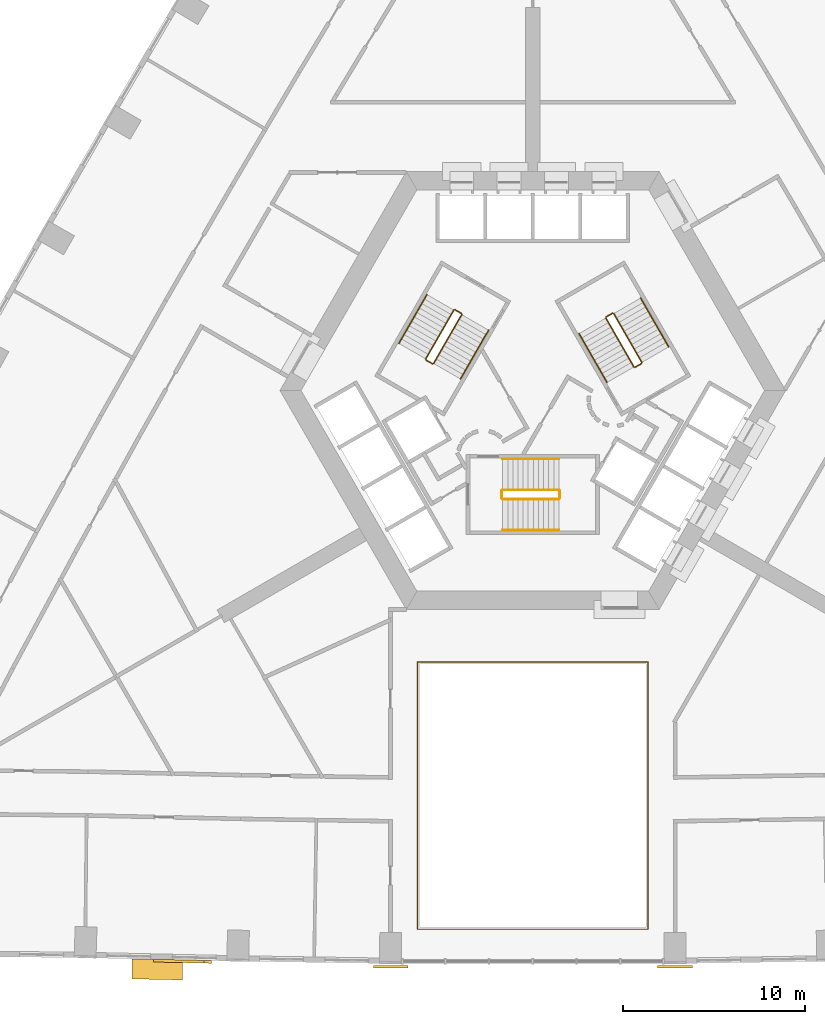
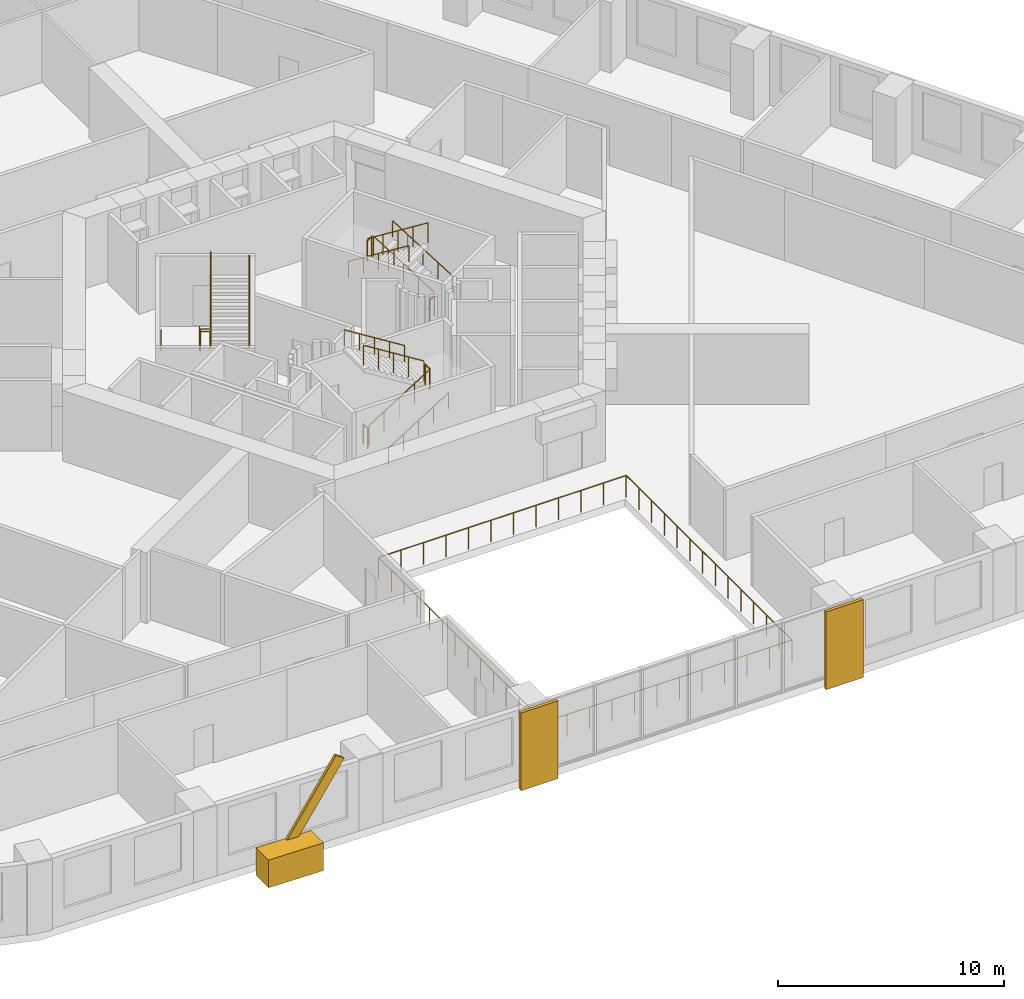
# One storey, part 13 of 13: 19 railings, 3 coverings, 1 shading device.
"""IFC4 building model written with IfcOpenShell, lengths in metres."""

from ifc_helpers import new_model, si_unit, direction, frame, origin, origin_2d, place, context, subcontext, project, spatial, polyline, rectangle, circle, outline, extrude, material, material_profile, profile_set, type_object, element, save


model = new_model("IFC4")

# Units and contexts
model_context = context("Model", 3, precision=1e-05, world=origin(), true_north=direction((0.0, 1.0)))
body_context = subcontext(model_context, "Body", "Model", "MODEL_VIEW")
ifc_project = project(units=[si_unit("LENGTHUNIT", "METRE"), si_unit("AREAUNIT", "SQUARE_METRE"), si_unit("VOLUMEUNIT", "CUBIC_METRE"), si_unit("PLANEANGLEUNIT", "RADIAN"), si_unit("MASSUNIT", "GRAM", prefix="KILO")], contexts=[model_context])

# Site, building, storey
site_placement = place(None, origin())
site = spatial("IfcSite", under=ifc_project, at=site_placement, CompositionType="ELEMENT")
building_placement = place(site_placement, origin())
building = spatial("IfcBuilding", under=site, at=building_placement, Name="Entoto Arch Interchange Tower", CompositionType="ELEMENT")
storey_placement = place(building_placement, frame((0.0, 0.0, 51.800048828125)))
storey = spatial("IfcBuildingStorey", under=building, at=storey_placement, Name="L10", CompositionType="ELEMENT", Elevation=51.800048828125)

# Railing
ifc_material_1 = material(Name="Stainless steel 1.4301", Category="steel")
railing_type_1 = type_object("IfcRailingType", Name="ATRIUM GUARD 1200 STEEL AND GLASS", PredefinedType="GUARDRAIL", material=ifc_material_1)
railing_1_placement = place(storey_placement, frame((6.320068359375, -27.030029296875, 0.0)))
element("IfcRailing", 1, at=railing_1_placement, inside=storey, type_object=railing_type_1, Name="Atrium guard L10", PredefinedType="GUARDRAIL", context=body_context, shape_type="SweptSolid", body=[
    extrude(circle(Radius=0.02392578125, at=origin_2d()), frame((0.0, 0.0, 1.17578125), z_axis=(-1.0, 0.0, 0.0), x_axis=(0.0, -1.0, 0.0)), (0.0, 0.0, 1.0), 12.64013671875),
    extrude(circle(Radius=0.02392578125, at=origin_2d()), frame((-12.64013671875, 0.0, 1.17578125), z_axis=(0.0, 1.0, 0.0), x_axis=(-1.0, 0.0, 0.0)), (0.0, 0.0, 1.0), 14.650146484375),
    extrude(circle(Radius=0.02392578125, at=origin_2d()), frame((-12.64013671875, 14.650146484375, 1.17578125), z_axis=(1.0, 0.0, 0.0), x_axis=(0.0, 1.0, 0.0)), (0.0, 0.0, 1.0), 12.64013671875),
    extrude(circle(Radius=0.02392578125, at=origin_2d()), frame((0.0, 14.650146484375, 1.17578125), z_axis=(0.0, -1.0, 0.0), x_axis=(1.0, 0.0, 0.0)), (0.0, 0.0, 1.0), 14.650146484375),
    extrude(circle(Radius=0.02099609375, at=origin_2d()), origin(), (0.0, 0.0, 1.0), 1.15185546875),
    extrude(circle(Radius=0.02099609375, at=origin_2d()), frame((-1.149169921875, 0.0, 0.0)), (0.0, 0.0, 1.0), 1.15185546875),
    extrude(circle(Radius=0.02099609375, at=origin_2d()), frame((-2.298095703125, 0.0, 0.0)), (0.0, 0.0, 1.0), 1.15185546875),
    extrude(circle(Radius=0.02099609375, at=origin_2d()), frame((-3.447265625, 0.0, 0.0)), (0.0, 0.0, 1.0), 1.15185546875),
    extrude(circle(Radius=0.02099609375, at=origin_2d()), frame((-4.596435546875, 0.0, 0.0)), (0.0, 0.0, 1.0), 1.15185546875),
    extrude(circle(Radius=0.02099609375, at=origin_2d()), frame((-5.74560546875, 0.0, 0.0)), (0.0, 0.0, 1.0), 1.15185546875),
    extrude(circle(Radius=0.02099609375, at=origin_2d()), frame((-6.89453125, 0.0, 0.0)), (0.0, 0.0, 1.0), 1.15185546875),
    extrude(circle(Radius=0.02099609375, at=origin_2d()), frame((-8.043701171875, 0.0, 0.0)), (0.0, 0.0, 1.0), 1.15185546875),
    extrude(circle(Radius=0.02099609375, at=origin_2d()), frame((-9.19287109375, 0.0, 0.0)), (0.0, 0.0, 1.0), 1.15185546875),
    extrude(circle(Radius=0.02099609375, at=origin_2d()), frame((-10.342041015625, 0.0, 0.0)), (0.0, 0.0, 1.0), 1.15185546875),
    extrude(circle(Radius=0.02099609375, at=origin_2d()), frame((-11.490966796875, 0.0, 0.0)), (0.0, 0.0, 1.0), 1.15185546875),
    extrude(circle(Radius=0.02099609375, at=origin_2d()), frame((-12.64013671875, 0.0, 0.0)), (0.0, 0.0, 1.0), 1.15185546875),
    extrude(circle(Radius=0.02099609375, at=origin_2d()), frame((-12.64013671875, 1.126953125, 0.0)), (0.0, 0.0, 1.0), 1.15185546875),
    extrude(circle(Radius=0.02099609375, at=origin_2d()), frame((-12.64013671875, 2.25390625, 0.0)), (0.0, 0.0, 1.0), 1.15185546875),
    extrude(circle(Radius=0.02099609375, at=origin_2d()), frame((-12.64013671875, 3.380859375, 0.0)), (0.0, 0.0, 1.0), 1.15185546875),
    extrude(circle(Radius=0.02099609375, at=origin_2d()), frame((-12.64013671875, 4.5078125, 0.0)), (0.0, 0.0, 1.0), 1.15185546875),
    extrude(circle(Radius=0.02099609375, at=origin_2d()), frame((-12.64013671875, 5.634765625, 0.0)), (0.0, 0.0, 1.0), 1.15185546875),
    extrude(circle(Radius=0.02099609375, at=origin_2d()), frame((-12.64013671875, 6.76171875, 0.0)), (0.0, 0.0, 1.0), 1.15185546875),
    extrude(circle(Radius=0.02099609375, at=origin_2d()), frame((-12.64013671875, 7.888427734375, 0.0)), (0.0, 0.0, 1.0), 1.15185546875),
    extrude(circle(Radius=0.02099609375, at=origin_2d()), frame((-12.64013671875, 9.015380859375, 0.0)), (0.0, 0.0, 1.0), 1.15185546875),
    extrude(circle(Radius=0.02099609375, at=origin_2d()), frame((-12.64013671875, 10.142333984375, 0.0)), (0.0, 0.0, 1.0), 1.15185546875),
    extrude(circle(Radius=0.02099609375, at=origin_2d()), frame((-12.64013671875, 11.269287109375, 0.0)), (0.0, 0.0, 1.0), 1.15185546875),
    extrude(circle(Radius=0.02099609375, at=origin_2d()), frame((-12.64013671875, 12.396240234375, 0.0)), (0.0, 0.0, 1.0), 1.15185546875),
    extrude(circle(Radius=0.02099609375, at=origin_2d()), frame((-12.64013671875, 13.523193359375, 0.0)), (0.0, 0.0, 1.0), 1.15185546875),
    extrude(circle(Radius=0.02099609375, at=origin_2d()), frame((-12.64013671875, 14.650146484375, 0.0)), (0.0, 0.0, 1.0), 1.15185546875),
    extrude(circle(Radius=0.02099609375, at=origin_2d()), frame((-11.490966796875, 14.650146484375, 0.0)), (0.0, 0.0, 1.0), 1.15185546875),
    extrude(circle(Radius=0.02099609375, at=origin_2d()), frame((-10.342041015625, 14.650146484375, 0.0)), (0.0, 0.0, 1.0), 1.15185546875),
    extrude(circle(Radius=0.02099609375, at=origin_2d()), frame((-9.19287109375, 14.650146484375, 0.0)), (0.0, 0.0, 1.0), 1.15185546875),
    extrude(circle(Radius=0.02099609375, at=origin_2d()), frame((-8.043701171875, 14.650146484375, 0.0)), (0.0, 0.0, 1.0), 1.15185546875),
    extrude(circle(Radius=0.02099609375, at=origin_2d()), frame((-6.89453125, 14.650146484375, 0.0)), (0.0, 0.0, 1.0), 1.15185546875),
    extrude(circle(Radius=0.02099609375, at=origin_2d()), frame((-5.74560546875, 14.650146484375, 0.0)), (0.0, 0.0, 1.0), 1.15185546875),
    extrude(circle(Radius=0.02099609375, at=origin_2d()), frame((-4.596435546875, 14.650146484375, 0.0)), (0.0, 0.0, 1.0), 1.15185546875),
    extrude(circle(Radius=0.02099609375, at=origin_2d()), frame((-3.447265625, 14.650146484375, 0.0)), (0.0, 0.0, 1.0), 1.15185546875),
    extrude(circle(Radius=0.02099609375, at=origin_2d()), frame((-2.298095703125, 14.650146484375, 0.0)), (0.0, 0.0, 1.0), 1.15185546875),
    extrude(circle(Radius=0.02099609375, at=origin_2d()), frame((-1.149169921875, 14.650146484375, 0.0)), (0.0, 0.0, 1.0), 1.15185546875),
    extrude(circle(Radius=0.02099609375, at=origin_2d()), frame((0.0, 14.650146484375, 0.0)), (0.0, 0.0, 1.0), 1.15185546875),
    extrude(circle(Radius=0.02099609375, at=origin_2d()), frame((0.0, 13.523193359375, 0.0)), (0.0, 0.0, 1.0), 1.15185546875),
    extrude(circle(Radius=0.02099609375, at=origin_2d()), frame((0.0, 12.396240234375, 0.0)), (0.0, 0.0, 1.0), 1.15185546875),
    extrude(circle(Radius=0.02099609375, at=origin_2d()), frame((0.0, 11.269287109375, 0.0)), (0.0, 0.0, 1.0), 1.15185546875),
    extrude(circle(Radius=0.02099609375, at=origin_2d()), frame((0.0, 10.142333984375, 0.0)), (0.0, 0.0, 1.0), 1.15185546875),
    extrude(circle(Radius=0.02099609375, at=origin_2d()), frame((0.0, 9.015380859375, 0.0)), (0.0, 0.0, 1.0), 1.15185546875),
    extrude(circle(Radius=0.02099609375, at=origin_2d()), frame((0.0, 7.888427734375, 0.0)), (0.0, 0.0, 1.0), 1.15185546875),
    extrude(circle(Radius=0.02099609375, at=origin_2d()), frame((0.0, 6.76171875, 0.0)), (0.0, 0.0, 1.0), 1.15185546875),
    extrude(circle(Radius=0.02099609375, at=origin_2d()), frame((0.0, 5.634765625, 0.0)), (0.0, 0.0, 1.0), 1.15185546875),
    extrude(circle(Radius=0.02099609375, at=origin_2d()), frame((0.0, 4.5078125, 0.0)), (0.0, 0.0, 1.0), 1.15185546875),
    extrude(circle(Radius=0.02099609375, at=origin_2d()), frame((0.0, 3.380859375, 0.0)), (0.0, 0.0, 1.0), 1.15185546875),
    extrude(circle(Radius=0.02099609375, at=origin_2d()), frame((0.0, 2.25390625, 0.0)), (0.0, 0.0, 1.0), 1.15185546875),
    extrude(circle(Radius=0.02099609375, at=origin_2d()), frame((0.0, 1.126953125, 0.0)), (0.0, 0.0, 1.0), 1.15185546875),
])

# Shading device
ifc_material_2 = material(Name="Board-marked precast concrete C50/60", Category="concrete")
ifc_material_profile = material_profile(ifc_material_2, rectangle(XDim=0.14990234375, YDim=0.5, at=origin_2d()))
ifc_profile_set = profile_set([ifc_material_profile], Name="Board-marked precast concrete C50/60")
shading_device_type = type_object("IfcShadingDeviceType", Name="FOLD BAND PRECAST 150x500", PredefinedType="USERDEFINED", material=ifc_profile_set)
shading_device_placement = place(storey_placement, frame((-20.5810546875, -28.7529296875, 0.25), z_axis=(0.550530625864, -0.01232458831, 0.834723987021), x_axis=(0.022381136594, 0.99974951099, 0.0)))
element("IfcShadingDevice", 2, at=shading_device_placement, inside=storey, type_object=shading_device_type, Name="Fold band L10", ObjectType="FOLD BAND", PredefinedType="USERDEFINED", context=body_context, shape_type="SweptSolid", body=[
    extrude(rectangle(XDim=0.14990234375, YDim=0.5, at=origin_2d()), origin(), (0.0, 0.0, 1.0), 5.031494140625),
])

# Coverings
covering_type = type_object("IfcCoveringType", Name="PRECAST FRAME COURSE", PredefinedType="CLADDING", material=ifc_material_2)
covering_1_placement = place(storey_placement, frame((0.0, 0.0, -0.400146484375)))
element("IfcCovering", 3, at=covering_1_placement, inside=storey, type_object=covering_type, Name="Gate pier L10", PredefinedType="CLADDING", context=body_context, shape_type="SweptSolid", body=[
    extrude(outline(polyline([(-8.742919921875, -29.0009765625), (-6.843017578125, -29.0009765625), (-6.843017578125, -29.159912109375), (-8.742919921875, -29.159912109375), (-8.742919921875, -29.0009765625)])), origin(), (0.0, 0.0, 1.0), 4.2001953125),
])
covering_2_placement = place(storey_placement, frame((0.0, 0.0, -0.400146484375)))
element("IfcCovering", 4, at=covering_2_placement, inside=storey, type_object=covering_type, Name="Gate pier L10", PredefinedType="CLADDING", context=body_context, shape_type="SweptSolid", body=[
    extrude(outline(polyline([(6.843017578125, -29.0009765625), (8.742919921875, -29.0009765625), (8.742919921875, -29.159912109375), (6.843017578125, -29.159912109375), (6.843017578125, -29.0009765625)])), origin(), (0.0, 0.0, 1.0), 4.2001953125),
])
covering_3_placement = place(storey_placement, frame((0.0, 0.0, -0.650146484375)))
element("IfcCovering", 5, at=covering_3_placement, inside=storey, type_object=covering_type, Name="Fold crease ribbon L10", PredefinedType="CLADDING", context=body_context, shape_type="SweptSolid", body=[
    extrude(outline(polyline([(-21.964111328125, -29.7470703125), (-21.964111328125, -28.64697265625), (-19.194091796875, -28.708984375), (-19.194091796875, -29.80908203125), (-21.964111328125, -29.7470703125)])), origin(), (0.0, 0.0, 1.0), 1.5),
])

# Railings
railing_type_2 = type_object("IfcRailingType", Name="STAIR GUARD 1100 STEEL", PredefinedType="GUARDRAIL", material=ifc_material_1)
railing_2_placement = place(storey_placement, frame((-1.64990234375, -3.449951171875, 0.175048828125)))
element("IfcRailing", 6, at=railing_2_placement, inside=storey, type_object=railing_type_2, Name="L10 ST-S stair guard 1", PredefinedType="GUARDRAIL", context=body_context, shape_type="SweptSolid", body=[
    extrude(circle(Radius=0.02392578125, at=origin_2d()), frame((0.0, 0.0, 1.076171875), z_axis=(0.848009633417, 0.0, 0.529980812513), x_axis=(0.0, 1.0, 0.0)), (0.0, 0.0, 1.0), 3.6318359375),
    extrude(circle(Radius=0.02099609375, at=origin_2d()), origin(), (0.0, 0.0, 1.0), 1.052001953125),
    extrude(circle(Radius=0.02099609375, at=origin_2d()), frame((0.77001953125, 0.0, 0.481201171875)), (0.0, 0.0, 1.0), 1.052001953125),
    extrude(circle(Radius=0.02099609375, at=origin_2d()), frame((1.5400390625, 0.0, 0.96240234375)), (0.0, 0.0, 1.0), 1.052001953125),
    extrude(circle(Radius=0.02099609375, at=origin_2d()), frame((2.309814453125, 0.0, 1.443603515625)), (0.0, 0.0, 1.0), 1.052001953125),
    extrude(circle(Radius=0.02099609375, at=origin_2d()), frame((3.079833984375, 0.0, 1.9248046875)), (0.0, 0.0, 1.0), 1.052001953125),
])
railing_3_placement = place(storey_placement, frame((1.47998046875, -3.39990234375, 2.099853515625)))
element("IfcRailing", 7, at=railing_3_placement, inside=storey, type_object=railing_type_2, Name="L10 ST-S stair guard 2", PredefinedType="GUARDRAIL", context=body_context, shape_type="SweptSolid", body=[
    extrude(circle(Radius=0.02392578125, at=origin_2d()), frame((0.0, 0.0, 1.076171875), z_axis=(0.0, 1.0, 0.0), x_axis=(-1.0, 0.0, 0.0)), (0.0, 0.0, 1.0), 0.39990234375),
    extrude(circle(Radius=0.02099609375, at=origin_2d()), origin(), (0.0, 0.0, 1.0), 1.052001953125),
    extrude(circle(Radius=0.02099609375, at=origin_2d()), frame((0.0, 0.39990234375, 0.0)), (0.0, 0.0, 1.0), 1.052001953125),
])
railing_4_placement = place(storey_placement, frame((1.429931640625, -2.949951171875, 2.27490234375)))
element("IfcRailing", 8, at=railing_4_placement, inside=storey, type_object=railing_type_2, Name="L10 ST-S stair guard 3", PredefinedType="GUARDRAIL", context=body_context, shape_type="SweptSolid", body=[
    extrude(circle(Radius=0.02392578125, at=origin_2d()), frame((0.0, 0.0, 1.076171875), z_axis=(-0.847979421464, 0.0, 0.530029150871), x_axis=(0.0, -1.0, 0.0)), (0.0, 0.0, 1.0), 3.632080078125),
    extrude(circle(Radius=0.02099609375, at=origin_2d()), origin(), (0.0, 0.0, 1.0), 1.052001953125),
    extrude(circle(Radius=0.02099609375, at=origin_2d()), frame((-0.77001953125, 0.0, 0.481201171875)), (0.0, 0.0, 1.0), 1.052001953125),
    extrude(circle(Radius=0.02099609375, at=origin_2d()), frame((-1.5400390625, 0.0, 0.96240234375)), (0.0, 0.0, 1.0), 1.052001953125),
    extrude(circle(Radius=0.02099609375, at=origin_2d()), frame((-2.309814453125, 0.0, 1.44384765625)), (0.0, 0.0, 1.0), 1.052001953125),
    extrude(circle(Radius=0.02099609375, at=origin_2d()), frame((-3.079833984375, 0.0, 1.925048828125)), (0.0, 0.0, 1.0), 1.052001953125),
])
railing_5_placement = place(storey_placement, frame((-1.699951171875, -3.39990234375, 0.0)))
element("IfcRailing", 9, at=railing_5_placement, inside=storey, type_object=railing_type_2, Name="L10 ST-S stair guard 4", PredefinedType="GUARDRAIL", context=body_context, shape_type="SweptSolid", body=[
    extrude(circle(Radius=0.02392578125, at=origin_2d()), frame((0.0, 0.0, 1.076171875), z_axis=(0.0, 1.0, 0.0), x_axis=(-1.0, 0.0, 0.0)), (0.0, 0.0, 1.0), 0.39990234375),
    extrude(circle(Radius=0.02099609375, at=origin_2d()), origin(), (0.0, 0.0, 1.0), 1.052001953125),
    extrude(circle(Radius=0.02099609375, at=origin_2d()), frame((0.0, 0.39990234375, 0.0)), (0.0, 0.0, 1.0), 1.052001953125),
])
railing_6_placement = place(storey_placement, frame((5.977783203125, 4.046142578125, 0.175048828125)))
element("IfcRailing", 10, at=railing_6_placement, inside=storey, type_object=railing_type_2, Name="L10 ST-NE stair guard 1", PredefinedType="GUARDRAIL", context=body_context, shape_type="SweptSolid", body=[
    extrude(circle(Radius=0.02392578125, at=origin_2d()), frame((0.0, 0.0, 1.076171875), z_axis=(-0.42403051051, 0.734390191396, 0.529970917068), x_axis=(-0.866010015463, -0.500026652407, 0.0)), (0.0, 0.0, 1.0), 3.6318359375),
    extrude(circle(Radius=0.02099609375, at=origin_2d()), origin(), (0.0, 0.0, 1.0), 1.052001953125),
    extrude(circle(Radius=0.02099609375, at=origin_2d()), frame((-0.385009765625, 0.666748046875, 0.481201171875)), (0.0, 0.0, 1.0), 1.052001953125),
    extrude(circle(Radius=0.02099609375, at=origin_2d()), frame((-0.77001953125, 1.33349609375, 0.96240234375)), (0.0, 0.0, 1.0), 1.052001953125),
    extrude(circle(Radius=0.02099609375, at=origin_2d()), frame((-1.155029296875, 2.00048828125, 1.443603515625)), (0.0, 0.0, 1.0), 1.052001953125),
    extrude(circle(Radius=0.02099609375, at=origin_2d()), frame((-1.5400390625, 2.667236328125, 1.9248046875)), (0.0, 0.0, 1.0), 1.052001953125),
])
railing_7_placement = place(storey_placement, frame((4.36962890625, 6.731689453125, 2.099853515625)))
element("IfcRailing", 11, at=railing_7_placement, inside=storey, type_object=railing_type_2, Name="L10 ST-NE stair guard 2", PredefinedType="GUARDRAIL", context=body_context, shape_type="SweptSolid", body=[
    extrude(circle(Radius=0.02392578125, at=origin_2d()), frame((0.0, 0.0, 1.076171875), z_axis=(-0.866094119867, -0.499880961361, 0.0), x_axis=(0.499880961361, -0.866094119867, 0.0)), (0.0, 0.0, 1.0), 0.39990234375),
    extrude(circle(Radius=0.02099609375, at=origin_2d()), origin(), (0.0, 0.0, 1.0), 1.052001953125),
    extrude(circle(Radius=0.02099609375, at=origin_2d()), frame((-0.346435546875, -0.199951171875, 0.0)), (0.0, 0.0, 1.0), 1.052001953125),
])
railing_8_placement = place(storey_placement, frame((4.0048828125, 6.46337890625, 2.27490234375)))
element("IfcRailing", 12, at=railing_8_placement, inside=storey, type_object=railing_type_2, Name="L10 ST-NE stair guard 3", PredefinedType="GUARDRAIL", context=body_context, shape_type="SweptSolid", body=[
    extrude(circle(Radius=0.02392578125, at=origin_2d()), frame((0.0, 0.0, 1.076171875), z_axis=(0.424015404183, -0.734364028329, 0.530019255228), x_axis=(0.866010015463, 0.500026652407, 0.0)), (0.0, 0.0, 1.0), 3.632080078125),
    extrude(circle(Radius=0.02099609375, at=origin_2d()), origin(), (0.0, 0.0, 1.0), 1.052001953125),
    extrude(circle(Radius=0.02099609375, at=origin_2d()), frame((0.385009765625, -0.666748046875, 0.481201171875)), (0.0, 0.0, 1.0), 1.052001953125),
    extrude(circle(Radius=0.02099609375, at=origin_2d()), frame((0.77001953125, -1.33349609375, 0.96240234375)), (0.0, 0.0, 1.0), 1.052001953125),
    extrude(circle(Radius=0.02099609375, at=origin_2d()), frame((1.155029296875, -2.00048828125, 1.44384765625)), (0.0, 0.0, 1.0), 1.052001953125),
    extrude(circle(Radius=0.02099609375, at=origin_2d()), frame((1.5400390625, -2.667236328125, 1.925048828125)), (0.0, 0.0, 1.0), 1.052001953125),
])
railing_9_placement = place(storey_placement, frame((5.95947265625, 3.977783203125, 0.0)))
element("IfcRailing", 13, at=railing_9_placement, inside=storey, type_object=railing_type_2, Name="L10 ST-NE stair guard 4", PredefinedType="GUARDRAIL", context=body_context, shape_type="SweptSolid", body=[
    extrude(circle(Radius=0.02392578125, at=origin_2d()), frame((0.0, 0.0, 1.076171875), z_axis=(-0.866094119867, -0.499880961361, 0.0), x_axis=(0.499880961361, -0.866094119867, 0.0)), (0.0, 0.0, 1.0), 0.39990234375),
    extrude(circle(Radius=0.02099609375, at=origin_2d()), origin(), (0.0, 0.0, 1.0), 1.052001953125),
    extrude(circle(Radius=0.02099609375, at=origin_2d()), frame((-0.346435546875, -0.199951171875, 0.0)), (0.0, 0.0, 1.0), 1.052001953125),
])
railing_10_placement = place(storey_placement, frame((-4.327880859375, 6.904052734375, 0.175048828125)))
element("IfcRailing", 14, at=railing_10_placement, inside=storey, type_object=railing_type_2, Name="L10 ST-NW stair guard 1", PredefinedType="GUARDRAIL", context=body_context, shape_type="SweptSolid", body=[
    extrude(circle(Radius=0.02392578125, at=origin_2d()), frame((0.0, 0.0, 1.076171875), z_axis=(-0.424009578203, -0.734421155904, 0.529944755001), x_axis=(0.866029832698, -0.499992328818, 0.0)), (0.0, 0.0, 1.0), 3.632080078125),
    extrude(circle(Radius=0.02099609375, at=origin_2d()), origin(), (0.0, 0.0, 1.0), 1.052001953125),
    extrude(circle(Radius=0.02099609375, at=origin_2d()), frame((-0.385009765625, -0.6669921875, 0.481201171875)), (0.0, 0.0, 1.0), 1.052001953125),
    extrude(circle(Radius=0.02099609375, at=origin_2d()), frame((-0.77001953125, -1.333740234375, 0.96240234375)), (0.0, 0.0, 1.0), 1.052001953125),
    extrude(circle(Radius=0.02099609375, at=origin_2d()), frame((-1.155029296875, -2.00048828125, 1.443603515625)), (0.0, 0.0, 1.0), 1.052001953125),
    extrude(circle(Radius=0.02099609375, at=origin_2d()), frame((-1.5400390625, -2.66748046875, 1.9248046875)), (0.0, 0.0, 1.0), 1.052001953125),
])
railing_11_placement = place(storey_placement, frame((-5.849609375, 4.168212890625, 2.099853515625)))
element("IfcRailing", 15, at=railing_11_placement, inside=storey, type_object=railing_type_2, Name="L10 ST-NW stair guard 2", PredefinedType="GUARDRAIL", context=body_context, shape_type="SweptSolid", body=[
    extrude(circle(Radius=0.02392578125, at=origin_2d()), frame((0.0, 0.0, 1.076171875), z_axis=(0.866094119867, -0.499880961361, 0.0), x_axis=(0.499880961361, 0.866094119867, 0.0)), (0.0, 0.0, 1.0), 0.39990234375),
    extrude(circle(Radius=0.02099609375, at=origin_2d()), origin(), (0.0, 0.0, 1.0), 1.052001953125),
    extrude(circle(Radius=0.02099609375, at=origin_2d()), frame((0.346435546875, -0.199951171875, 0.0)), (0.0, 0.0, 1.0), 1.052001953125),
])
railing_12_placement = place(storey_placement, frame((-5.434814453125, 3.986572265625, 2.27490234375)))
element("IfcRailing", 16, at=railing_12_placement, inside=storey, type_object=railing_type_2, Name="L10 ST-NW stair guard 3", PredefinedType="GUARDRAIL", context=body_context, shape_type="SweptSolid", body=[
    extrude(circle(Radius=0.02392578125, at=origin_2d()), frame((0.0, 0.0, 1.076171875), z_axis=(0.423994474112, 0.734394994316, 0.52999309264), x_axis=(-0.866029832698, 0.499992328818, 0.0)), (0.0, 0.0, 1.0), 3.63232421875),
    extrude(circle(Radius=0.02099609375, at=origin_2d()), origin(), (0.0, 0.0, 1.0), 1.052001953125),
    extrude(circle(Radius=0.02099609375, at=origin_2d()), frame((0.385009765625, 0.6669921875, 0.481201171875)), (0.0, 0.0, 1.0), 1.052001953125),
    extrude(circle(Radius=0.02099609375, at=origin_2d()), frame((0.77001953125, 1.333740234375, 0.96240234375)), (0.0, 0.0, 1.0), 1.052001953125),
    extrude(circle(Radius=0.02099609375, at=origin_2d()), frame((1.155029296875, 2.00048828125, 1.44384765625)), (0.0, 0.0, 1.0), 1.052001953125),
    extrude(circle(Radius=0.02099609375, at=origin_2d()), frame((1.5400390625, 2.66748046875, 1.925048828125)), (0.0, 0.0, 1.0), 1.052001953125),
])
railing_13_placement = place(storey_placement, frame((-4.259521484375, 6.92236328125, 0.0)))
element("IfcRailing", 17, at=railing_13_placement, inside=storey, type_object=railing_type_2, Name="L10 ST-NW stair guard 4", PredefinedType="GUARDRAIL", context=body_context, shape_type="SweptSolid", body=[
    extrude(circle(Radius=0.02392578125, at=origin_2d()), frame((0.0, 0.0, 1.076171875), z_axis=(0.865829829939, -0.500338590944, 0.0), x_axis=(0.500338590944, 0.865829829939, 0.0)), (0.0, 0.0, 1.0), 0.400146484375),
    extrude(circle(Radius=0.02099609375, at=origin_2d()), origin(), (0.0, 0.0, 1.0), 1.052001953125),
    extrude(circle(Radius=0.02099609375, at=origin_2d()), frame((0.346435546875, -0.2001953125, 0.0)), (0.0, 0.0, 1.0), 1.052001953125),
])
railing_type_3 = type_object("IfcRailingType", Name="STAIR HANDRAIL 900 STEEL", PredefinedType="HANDRAIL", material=ifc_material_1)
railing_14_placement = place(storey_placement, frame((-1.64990234375, -5.14990234375, 0.175048828125)))
element("IfcRailing", 18, at=railing_14_placement, inside=storey, type_object=railing_type_3, Name="L10 ST-S stair handrail 1", PredefinedType="HANDRAIL", context=body_context, shape_type="SweptSolid", body=[
    extrude(circle(Radius=0.02392578125, at=origin_2d()), frame((0.0, 0.0, 0.8759765625), z_axis=(0.848009633417, 0.0, 0.529980812513), x_axis=(0.0, 1.0, 0.0)), (0.0, 0.0, 1.0), 3.6318359375),
    extrude(circle(Radius=0.02099609375, at=origin_2d()), origin(), (0.0, 0.0, 1.0), 0.851806640625),
    extrude(circle(Radius=0.02099609375, at=origin_2d()), frame((0.77001953125, 0.0, 0.481201171875)), (0.0, 0.0, 1.0), 0.851806640625),
    extrude(circle(Radius=0.02099609375, at=origin_2d()), frame((1.5400390625, 0.0, 0.96240234375)), (0.0, 0.0, 1.0), 0.851806640625),
    extrude(circle(Radius=0.02099609375, at=origin_2d()), frame((2.309814453125, 0.0, 1.443603515625)), (0.0, 0.0, 1.0), 0.851806640625),
    extrude(circle(Radius=0.02099609375, at=origin_2d()), frame((3.079833984375, 0.0, 1.9248046875)), (0.0, 0.0, 1.0), 0.851806640625),
])
railing_15_placement = place(storey_placement, frame((1.429931640625, -1.25, 2.27490234375)))
element("IfcRailing", 19, at=railing_15_placement, inside=storey, type_object=railing_type_3, Name="L10 ST-S stair handrail 2", PredefinedType="HANDRAIL", context=body_context, shape_type="SweptSolid", body=[
    extrude(circle(Radius=0.02392578125, at=origin_2d()), frame((0.0, 0.0, 0.8759765625), z_axis=(-0.847979421464, 0.0, 0.530029150871), x_axis=(0.0, -1.0, 0.0)), (0.0, 0.0, 1.0), 3.632080078125),
    extrude(circle(Radius=0.02099609375, at=origin_2d()), origin(), (0.0, 0.0, 1.0), 0.851806640625),
    extrude(circle(Radius=0.02099609375, at=origin_2d()), frame((-0.77001953125, 0.0, 0.481201171875)), (0.0, 0.0, 1.0), 0.851806640625),
    extrude(circle(Radius=0.02099609375, at=origin_2d()), frame((-1.5400390625, 0.0, 0.96240234375)), (0.0, 0.0, 1.0), 0.851806640625),
    extrude(circle(Radius=0.02099609375, at=origin_2d()), frame((-2.309814453125, 0.0, 1.44384765625)), (0.0, 0.0, 1.0), 0.851806640625),
    extrude(circle(Radius=0.02099609375, at=origin_2d()), frame((-3.079833984375, 0.0, 1.925048828125)), (0.0, 0.0, 1.0), 0.851806640625),
])
railing_16_placement = place(storey_placement, frame((7.4501953125, 4.89599609375, 0.175048828125)))
element("IfcRailing", 20, at=railing_16_placement, inside=storey, type_object=railing_type_3, Name="L10 ST-NE stair handrail 1", PredefinedType="HANDRAIL", context=body_context, shape_type="SweptSolid", body=[
    extrude(circle(Radius=0.02392578125, at=origin_2d()), frame((0.0, 0.0, 0.8759765625), z_axis=(-0.424009578203, 0.734421155904, 0.529944755001), x_axis=(-0.866029832698, -0.499992328818, 0.0)), (0.0, 0.0, 1.0), 3.632080078125),
    extrude(circle(Radius=0.02099609375, at=origin_2d()), origin(), (0.0, 0.0, 1.0), 0.851806640625),
    extrude(circle(Radius=0.02099609375, at=origin_2d()), frame((-0.385009765625, 0.6669921875, 0.481201171875)), (0.0, 0.0, 1.0), 0.851806640625),
    extrude(circle(Radius=0.02099609375, at=origin_2d()), frame((-0.77001953125, 1.333740234375, 0.96240234375)), (0.0, 0.0, 1.0), 0.851806640625),
    extrude(circle(Radius=0.02099609375, at=origin_2d()), frame((-1.155029296875, 2.00048828125, 1.443603515625)), (0.0, 0.0, 1.0), 0.851806640625),
    extrude(circle(Radius=0.02099609375, at=origin_2d()), frame((-1.5400390625, 2.66748046875, 1.9248046875)), (0.0, 0.0, 1.0), 0.851806640625),
])
railing_17_placement = place(storey_placement, frame((2.53271484375, 5.613525390625, 2.27490234375)))
element("IfcRailing", 21, at=railing_17_placement, inside=storey, type_object=railing_type_3, Name="L10 ST-NE stair handrail 2", PredefinedType="HANDRAIL", context=body_context, shape_type="SweptSolid", body=[
    extrude(circle(Radius=0.02392578125, at=origin_2d()), frame((0.0, 0.0, 0.8759765625), z_axis=(0.423939339791, -0.734415923031, 0.53000819633), x_axis=(0.866064153644, 0.499932877268, 0.0)), (0.0, 0.0, 1.0), 3.632080078125),
    extrude(circle(Radius=0.02099609375, at=origin_2d()), origin(), (0.0, 0.0, 1.0), 0.851806640625),
    extrude(circle(Radius=0.02099609375, at=origin_2d()), frame((0.385009765625, -0.6669921875, 0.481201171875)), (0.0, 0.0, 1.0), 0.851806640625),
    extrude(circle(Radius=0.02099609375, at=origin_2d()), frame((0.77001953125, -1.333740234375, 0.96240234375)), (0.0, 0.0, 1.0), 0.851806640625),
    extrude(circle(Radius=0.02099609375, at=origin_2d()), frame((1.15478515625, -2.00048828125, 1.44384765625)), (0.0, 0.0, 1.0), 0.851806640625),
    extrude(circle(Radius=0.02099609375, at=origin_2d()), frame((1.539794921875, -2.66748046875, 1.925048828125)), (0.0, 0.0, 1.0), 0.851806640625),
])
railing_18_placement = place(storey_placement, frame((-5.800048828125, 7.75390625, 0.175048828125)))
element("IfcRailing", 22, at=railing_18_placement, inside=storey, type_object=railing_type_3, Name="L10 ST-NW stair handrail 1", PredefinedType="HANDRAIL", context=body_context, shape_type="SweptSolid", body=[
    extrude(circle(Radius=0.02392578125, at=origin_2d()), frame((0.0, 0.0, 0.8759765625), z_axis=(-0.42403051051, -0.734390191396, 0.529970917068), x_axis=(0.866010015463, -0.500026652407, 0.0)), (0.0, 0.0, 1.0), 3.6318359375),
    extrude(circle(Radius=0.02099609375, at=origin_2d()), origin(), (0.0, 0.0, 1.0), 0.851806640625),
    extrude(circle(Radius=0.02099609375, at=origin_2d()), frame((-0.385009765625, -0.666748046875, 0.481201171875)), (0.0, 0.0, 1.0), 0.851806640625),
    extrude(circle(Radius=0.02099609375, at=origin_2d()), frame((-0.77001953125, -1.33349609375, 0.96240234375)), (0.0, 0.0, 1.0), 0.851806640625),
    extrude(circle(Radius=0.02099609375, at=origin_2d()), frame((-1.155029296875, -2.00048828125, 1.443603515625)), (0.0, 0.0, 1.0), 0.851806640625),
    extrude(circle(Radius=0.02099609375, at=origin_2d()), frame((-1.5400390625, -2.667236328125, 1.9248046875)), (0.0, 0.0, 1.0), 0.851806640625),
])
railing_19_placement = place(storey_placement, frame((-3.962646484375, 3.136474609375, 2.27490234375)))
element("IfcRailing", 23, at=railing_19_placement, inside=storey, type_object=railing_type_3, Name="L10 ST-NW stair handrail 2", PredefinedType="HANDRAIL", context=body_context, shape_type="SweptSolid", body=[
    extrude(circle(Radius=0.02392578125, at=origin_2d()), frame((0.0, 0.0, 0.8759765625), z_axis=(0.423994474112, 0.734394994316, 0.52999309264), x_axis=(-0.866029832698, 0.499992328818, 0.0)), (0.0, 0.0, 1.0), 3.63232421875),
    extrude(circle(Radius=0.02099609375, at=origin_2d()), origin(), (0.0, 0.0, 1.0), 0.851806640625),
    extrude(circle(Radius=0.02099609375, at=origin_2d()), frame((0.385009765625, 0.6669921875, 0.481201171875)), (0.0, 0.0, 1.0), 0.851806640625),
    extrude(circle(Radius=0.02099609375, at=origin_2d()), frame((0.77001953125, 1.333740234375, 0.96240234375)), (0.0, 0.0, 1.0), 0.851806640625),
    extrude(circle(Radius=0.02099609375, at=origin_2d()), frame((1.155029296875, 2.00048828125, 1.44384765625)), (0.0, 0.0, 1.0), 0.851806640625),
    extrude(circle(Radius=0.02099609375, at=origin_2d()), frame((1.5400390625, 2.66748046875, 1.925048828125)), (0.0, 0.0, 1.0), 0.851806640625),
])

save(model, "model.ifc")
